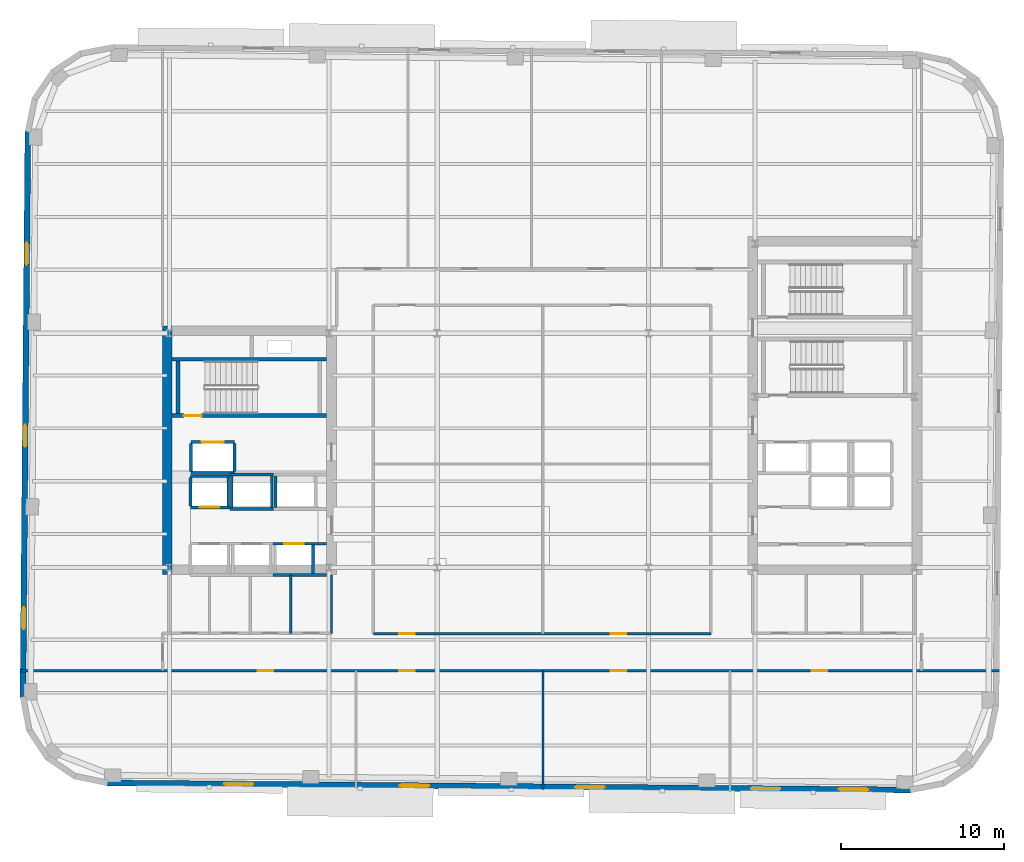
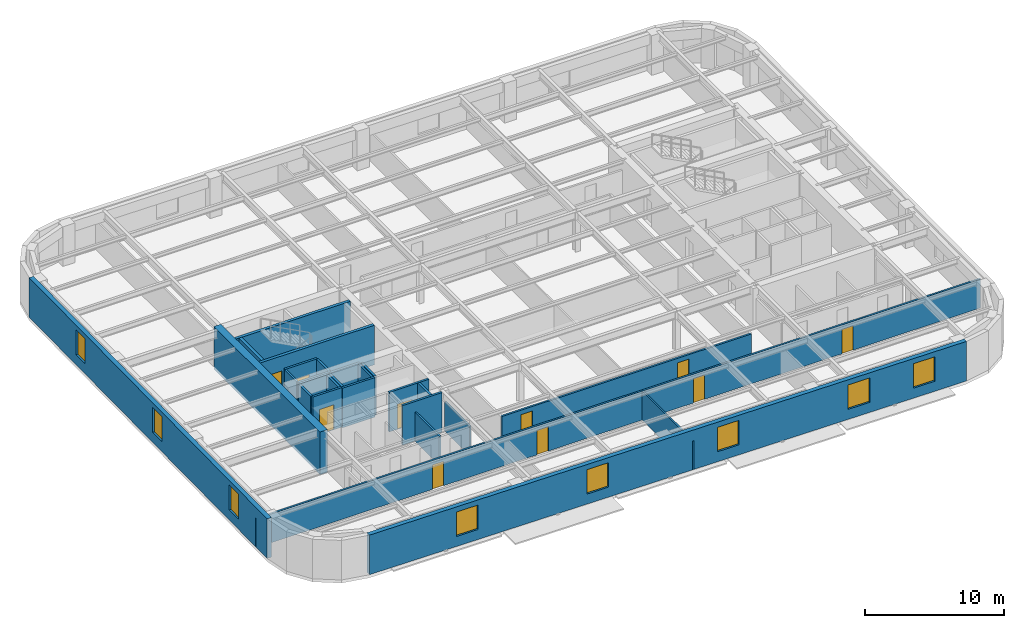
# One storey, part 4 of 11: 27 walls, 10 doors, 8 windows, 18 openings.
"""IFC4 building model written with IfcOpenShell, lengths in metres."""

from ifc_helpers import new_model, si_unit, direction, frame, frame_2d, origin, place, context, subcontext, project, spatial, rectangle, extrude, material, layer, layer_set, type_object, element, fill, save


model = new_model("IFC4")

# Units and contexts
model_context = context("Model", 3, precision=1e-05, world=origin(), true_north=direction((0.0, 1.0)))
body_context = subcontext(model_context, "Body", "Model", "MODEL_VIEW")
ifc_project = project(units=[si_unit("LENGTHUNIT", "METRE"), si_unit("AREAUNIT", "SQUARE_METRE"), si_unit("VOLUMEUNIT", "CUBIC_METRE"), si_unit("PLANEANGLEUNIT", "RADIAN"), si_unit("MASSUNIT", "GRAM", prefix="KILO")], contexts=[model_context])

# Site, building, storey
site_placement = place(None, origin())
site = spatial("IfcSite", under=ifc_project, at=site_placement, CompositionType="ELEMENT")
building_placement = place(site_placement, origin())
building = spatial("IfcBuilding", under=site, at=building_placement, Name="Kolvaren Arena Tower", CompositionType="ELEMENT")
storey_placement = place(building_placement, frame((0.0, 0.0, 203.449951171875)))
storey = spatial("IfcBuildingStorey", under=building, at=storey_placement, Name="L49", CompositionType="ELEMENT", Elevation=203.449951171875)

# Wall, openings, doors
ifc_material_1 = material(Name="Gypsum board acoustic assembly", Category="gypsum")
ifc_layer_1 = layer(ifc_material_1, 0.159912109375)
ifc_layer_set_1 = layer_set([ifc_layer_1], Name="Gypsum board acoustic assembly")
wall_type_1 = type_object("IfcWallType", Name="CORR-160", PredefinedType="PARTITIONING", material=ifc_layer_set_1)
wall_1_placement = place(storey_placement, frame((5.363525390625, 13.10009765625, 0.0), z_axis=(0.0, 0.0, 1.0), x_axis=(1.0, 0.0, 0.0)))
wall_1 = element("IfcWall", 1, at=wall_1_placement, inside=storey, type_object=wall_type_1, Name="Interior Partition Wall (L49)", PredefinedType="PARTITIONING", context=body_context, shape_type="SweptSolid", body=[
    extrude(rectangle(XDim=60.202392578125, YDim=0.159912109375, at=frame_2d((30.10107421875, 0.0))), origin(), (0.0, 0.0, 1.0), 2.5400390625),
])
opening_1_placement = place(wall_1_placement, frame((14.611328125, 0.0, 0.0)))
opening_1 = element("IfcOpeningElement", 2, at=opening_1_placement, cuts=wall_1, Name="Opening D05", PredefinedType="OPENING", context=body_context, shape_type="SweptSolid", body=[
    extrude(rectangle(XDim=0.949951171875, YDim=2.14990234375, at=frame_2d((0.47509765625, 1.074951171875))), frame((0.0, 0.08984375, 0.0), z_axis=(0.0, -1.0, 0.0), x_axis=(1.0, 0.0, 0.0)), (0.0, 0.0, 1.0), 0.179931640625),
])
opening_2_placement = place(wall_1_placement, frame((23.311279296875, 0.0, 0.0)))
opening_2 = element("IfcOpeningElement", 3, at=opening_2_placement, cuts=wall_1, Name="Opening D05", PredefinedType="OPENING", context=body_context, shape_type="SweptSolid", body=[
    extrude(rectangle(XDim=0.949951171875, YDim=2.14990234375, at=frame_2d((0.47509765625, 1.074951171875))), frame((0.0, 0.08984375, 0.0), z_axis=(0.0, -1.0, 0.0), x_axis=(1.0, 0.0, 0.0)), (0.0, 0.0, 1.0), 0.179931640625),
])
opening_3_placement = place(wall_1_placement, frame((36.311279296875, 0.0, 0.0)))
opening_3 = element("IfcOpeningElement", 4, at=opening_3_placement, cuts=wall_1, Name="Opening D05", PredefinedType="OPENING", context=body_context, shape_type="SweptSolid", body=[
    extrude(rectangle(XDim=0.949951171875, YDim=2.14990234375, at=frame_2d((0.47509765625, 1.074951171875))), frame((0.0, 0.08984375, 0.0), z_axis=(0.0, -1.0, 0.0), x_axis=(1.0, 0.0, 0.0)), (0.0, 0.0, 1.0), 0.179931640625),
])
opening_4_placement = place(wall_1_placement, frame((48.661376953125, 0.0, 0.0)))
opening_4 = element("IfcOpeningElement", 5, at=opening_4_placement, cuts=wall_1, Name="Opening D05", PredefinedType="OPENING", context=body_context, shape_type="SweptSolid", body=[
    extrude(rectangle(XDim=0.949951171875, YDim=2.14990234375, at=frame_2d((0.47509765625, 1.074951171875))), frame((0.0, 0.08984375, 0.0), z_axis=(0.0, -1.0, 0.0), x_axis=(1.0, 0.0, 0.0)), (0.0, 0.0, 1.0), 0.179931640625),
])
ifc_material_2 = material(Name="Solid-core oak acoustic office door", Category="wood")
door_type_1 = type_object("IfcDoorType", Name="DOOR-OF-095", OperationType="NOTDEFINED", PredefinedType="DOOR", material=ifc_material_2)
door_1_placement = place(opening_1_placement, origin())
door_1 = element("IfcDoor", 6, at=door_1_placement, inside=storey, type_object=door_type_1, Name="Design Studio Door (L49)", OperationType="SINGLE_SWING_LEFT", OverallHeight=2.14990234375, OverallWidth=0.949951171875, PredefinedType="DOOR", context=body_context, shape_type="SweptSolid", body=[
    extrude(rectangle(XDim=0.949951171875, YDim=2.14990234375, at=frame_2d((0.47509765625, 1.074951171875))), frame((0.0, 0.02490234375, 0.0), z_axis=(0.0, -1.0, 0.0), x_axis=(1.0, 0.0, 0.0)), (0.0, 0.0, 1.0), 0.050048828125),
])
fill(opening_1, door_1)
door_2_placement = place(opening_2_placement, origin())
door_2 = element("IfcDoor", 7, at=door_2_placement, inside=storey, type_object=door_type_1, Name="Design Studio Door (L49)", OperationType="SINGLE_SWING_RIGHT", OverallHeight=2.14990234375, OverallWidth=0.949951171875, PredefinedType="DOOR", context=body_context, shape_type="SweptSolid", body=[
    extrude(rectangle(XDim=0.949951171875, YDim=2.14990234375, at=frame_2d((0.47509765625, 1.074951171875))), frame((0.0, 0.02490234375, 0.0), z_axis=(0.0, -1.0, 0.0), x_axis=(1.0, 0.0, 0.0)), (0.0, 0.0, 1.0), 0.050048828125),
])
fill(opening_2, door_2)
door_3_placement = place(opening_3_placement, origin())
door_3 = element("IfcDoor", 8, at=door_3_placement, inside=storey, type_object=door_type_1, Name="Meeting Room Door (L49)", OperationType="SINGLE_SWING_LEFT", OverallHeight=2.14990234375, OverallWidth=0.949951171875, PredefinedType="DOOR", context=body_context, shape_type="SweptSolid", body=[
    extrude(rectangle(XDim=0.949951171875, YDim=2.14990234375, at=frame_2d((0.47509765625, 1.074951171875))), frame((0.0, 0.02490234375, 0.0), z_axis=(0.0, -1.0, 0.0), x_axis=(1.0, 0.0, 0.0)), (0.0, 0.0, 1.0), 0.050048828125),
])
fill(opening_3, door_3)
door_4_placement = place(opening_4_placement, origin())
door_4 = element("IfcDoor", 9, at=door_4_placement, inside=storey, type_object=door_type_1, Name="Technical Engineering Office Door (L49)", OperationType="SINGLE_SWING_RIGHT", OverallHeight=2.14990234375, OverallWidth=0.949951171875, PredefinedType="DOOR", context=body_context, shape_type="SweptSolid", body=[
    extrude(rectangle(XDim=0.949951171875, YDim=2.14990234375, at=frame_2d((0.47509765625, 1.074951171875))), frame((0.0, 0.02490234375, 0.0), z_axis=(0.0, -1.0, 0.0), x_axis=(1.0, 0.0, 0.0)), (0.0, 0.0, 1.0), 0.050048828125),
])
fill(opening_4, door_4)

wall_2_placement = place(storey_placement, frame((27.080078125, 15.3798828125, 0.0), z_axis=(0.0, 0.0, 1.0), x_axis=(1.0, 0.0, 0.0)))
wall_2 = element("IfcWall", 10, at=wall_2_placement, inside=storey, type_object=wall_type_1, Name="Interior Partition Wall (L49)", PredefinedType="PARTITIONING", context=body_context, shape_type="SweptSolid", body=[
    extrude(rectangle(XDim=20.739990234375, YDim=0.159912109375, at=frame_2d((10.3701171875, 0.0))), origin(), (0.0, 0.0, 1.0), 2.5400390625),
])
opening_5_placement = place(wall_2_placement, frame((1.594970703125, 0.0, 0.0)))
opening_5 = element("IfcOpeningElement", 11, at=opening_5_placement, cuts=wall_2, Name="Opening D05", PredefinedType="OPENING", context=body_context, shape_type="SweptSolid", body=[
    extrude(rectangle(XDim=0.949951171875, YDim=2.14990234375, at=frame_2d((0.47509765625, 1.074951171875))), frame((0.0, 0.08984375, 0.0), z_axis=(0.0, -1.0, 0.0), x_axis=(1.0, 0.0, 0.0)), (0.0, 0.0, 1.0), 0.179931640625),
])
opening_6_placement = place(wall_2_placement, frame((14.594970703125, 0.0, 0.0)))
opening_6 = element("IfcOpeningElement", 12, at=opening_6_placement, cuts=wall_2, Name="Opening D05", PredefinedType="OPENING", context=body_context, shape_type="SweptSolid", body=[
    extrude(rectangle(XDim=0.949951171875, YDim=2.14990234375, at=frame_2d((0.47509765625, 1.074951171875))), frame((0.0, 0.08984375, 0.0), z_axis=(0.0, -1.0, 0.0), x_axis=(1.0, 0.0, 0.0)), (0.0, 0.0, 1.0), 0.179931640625),
])
door_5_placement = place(opening_5_placement, origin())
door_5 = element("IfcDoor", 13, at=door_5_placement, inside=storey, type_object=door_type_1, Name="Technical Engineering Office Door (L49)", OperationType="SINGLE_SWING_RIGHT", OverallHeight=2.14990234375, OverallWidth=0.949951171875, PredefinedType="DOOR", context=body_context, shape_type="SweptSolid", body=[
    extrude(rectangle(XDim=0.949951171875, YDim=2.14990234375, at=frame_2d((0.47509765625, 1.074951171875))), frame((0.0, 0.02490234375, 0.0), z_axis=(0.0, -1.0, 0.0), x_axis=(1.0, 0.0, 0.0)), (0.0, 0.0, 1.0), 0.050048828125),
])
fill(opening_5, door_5)
door_6_placement = place(opening_6_placement, origin())
door_6 = element("IfcDoor", 14, at=door_6_placement, inside=storey, type_object=door_type_1, Name="Breakout Pantry and Kitchen Door (L49)", OperationType="SINGLE_SWING_RIGHT", OverallHeight=2.14990234375, OverallWidth=0.949951171875, PredefinedType="DOOR", context=body_context, shape_type="SweptSolid", body=[
    extrude(rectangle(XDim=0.949951171875, YDim=2.14990234375, at=frame_2d((0.47509765625, 1.074951171875))), frame((0.0, 0.02490234375, 0.0), z_axis=(0.0, -1.0, 0.0), x_axis=(1.0, 0.0, 0.0)), (0.0, 0.0, 1.0), 0.050048828125),
])
fill(opening_6, door_6)

# Wall
ifc_material_3 = material(Name="Concrete 60 MPa", Category="concrete")
ifc_layer_2 = layer(ifc_material_3, 0.60009765625)
ifc_layer_set_2 = layer_set([ifc_layer_2], Name="Concrete 60 MPa")
wall_type_2 = type_object("IfcWallType", Name="CWALL-600", PredefinedType="SHEAR", material=ifc_layer_set_2)
wall_3_placement = place(storey_placement, frame((14.39990234375, 19.0, -0.27001953125), z_axis=(0.0, 0.0, 1.0), x_axis=(0.0, 1.0, 0.0)))
element("IfcWall", 15, at=wall_3_placement, inside=storey, type_object=wall_type_2, Name="Core Shear Wall WC-WEST (L49)", PredefinedType="SHEAR", context=body_context, shape_type="SweptSolid", body=[
    extrude(rectangle(XDim=15.300048828125, YDim=0.60009765625, at=frame_2d((7.64990234375, 0.0))), origin(), (0.0, 0.0, 1.0), 3.75),
])

# Wall, openings, windows
ifc_material_4 = material(Name="Precast concrete C50/60", Category="concrete")
ifc_layer_3 = layer(ifc_material_4, 0.360107421875)
ifc_layer_set_3 = layer_set([ifc_layer_3], Name="Precast concrete C50/60")
wall_type_3 = type_object("IfcWallType", Name="EXT-PIER2", PredefinedType="SOLIDWALL", material=ifc_layer_set_3)
wall_4_placement = place(storey_placement, frame((5.529296875, 11.461669921875, 0.0), z_axis=(0.0, 0.0, 1.0), x_axis=(0.008727287311, 0.999961916503, 0.0)))
wall_4 = element("IfcWall", 16, at=wall_4_placement, inside=storey, type_object=wall_type_3, Name="Exterior Precast Masonry-Frame Wall (L49)", PredefinedType="SOLIDWALL", context=body_context, shape_type="SweptSolid", body=[
    extrude(rectangle(XDim=34.800048828125, YDim=0.360107421875, at=frame_2d((17.39990234375, 0.0))), origin(), (0.0, 0.0, 1.0), 3.47998046875),
])
opening_7_placement = place(wall_4_placement, frame((4.199951171875, 0.0, 0.8798828125)))
opening_7 = element("IfcOpeningElement", 17, at=opening_7_placement, cuts=wall_4, Name="Opening W04", PredefinedType="OPENING", context=body_context, shape_type="SweptSolid", body=[
    extrude(rectangle(XDim=1.35009765625, YDim=2.199951171875, at=frame_2d((0.675048828125, 1.10009765625))), frame((0.0, 0.18994140625, 0.0), z_axis=(0.0, -1.0, 0.0), x_axis=(1.0, 0.0, 0.0)), (0.0, 0.0, 1.0), 0.380126953125),
])
opening_8_placement = place(wall_4_placement, frame((15.39990234375, 0.0, 0.8798828125)))
opening_8 = element("IfcOpeningElement", 18, at=opening_8_placement, cuts=wall_4, Name="Opening W04", PredefinedType="OPENING", context=body_context, shape_type="SweptSolid", body=[
    extrude(rectangle(XDim=1.35009765625, YDim=2.199951171875, at=frame_2d((0.675048828125, 1.10009765625))), frame((0.0, 0.18994140625, 0.0), z_axis=(0.0, -1.0, 0.0), x_axis=(1.0, 0.0, 0.0)), (0.0, 0.0, 1.0), 0.380126953125),
])
opening_9_placement = place(wall_4_placement, frame((26.60009765625, 0.0, 0.8798828125)))
opening_9 = element("IfcOpeningElement", 19, at=opening_9_placement, cuts=wall_4, Name="Opening W04", PredefinedType="OPENING", context=body_context, shape_type="SweptSolid", body=[
    extrude(rectangle(XDim=1.35009765625, YDim=2.199951171875, at=frame_2d((0.675048828125, 1.10009765625))), frame((0.0, 0.18994140625, 0.0), z_axis=(0.0, -1.0, 0.0), x_axis=(1.0, 0.0, 0.0)), (0.0, 0.0, 1.0), 0.380126953125),
])
ifc_material_5 = material(Name="Triple-glazed curved-facet corner window", Category="glass")
window_type_1 = type_object("IfcWindowType", Name="WIN-CRN-A", PartitioningType="SINGLE_PANEL", PredefinedType="WINDOW", material=ifc_material_5)
window_1_placement = place(opening_7_placement, origin())
window_1 = element("IfcWindow", 20, at=window_1_placement, inside=storey, type_object=window_type_1, Name="End-Wall Punched Window (L49)", OverallHeight=2.199951171875, OverallWidth=1.35009765625, PartitioningType="SINGLE_PANEL", PredefinedType="WINDOW", context=body_context, shape_type="SweptSolid", body=[
    extrude(rectangle(XDim=1.35009765625, YDim=2.199951171875, at=frame_2d((0.675048828125, 1.10009765625))), frame((0.0, 0.030029296875, 0.0), z_axis=(0.0, -1.0, 0.0), x_axis=(1.0, 0.0, 0.0)), (0.0, 0.0, 1.0), 0.06005859375),
])
fill(opening_7, window_1)
window_2_placement = place(opening_8_placement, origin())
window_2 = element("IfcWindow", 21, at=window_2_placement, inside=storey, type_object=window_type_1, Name="End-Wall Punched Window (L49)", OverallHeight=2.199951171875, OverallWidth=1.35009765625, PartitioningType="SINGLE_PANEL", PredefinedType="WINDOW", context=body_context, shape_type="SweptSolid", body=[
    extrude(rectangle(XDim=1.35009765625, YDim=2.199951171875, at=frame_2d((0.675048828125, 1.10009765625))), frame((0.0, 0.030029296875, 0.0), z_axis=(0.0, -1.0, 0.0), x_axis=(1.0, 0.0, 0.0)), (0.0, 0.0, 1.0), 0.06005859375),
])
fill(opening_8, window_2)
window_3_placement = place(opening_9_placement, origin())
window_3 = element("IfcWindow", 22, at=window_3_placement, inside=storey, type_object=window_type_1, Name="End-Wall Punched Window (L49)", OverallHeight=2.199951171875, OverallWidth=1.35009765625, PartitioningType="SINGLE_PANEL", PredefinedType="WINDOW", context=body_context, shape_type="SweptSolid", body=[
    extrude(rectangle(XDim=1.35009765625, YDim=2.199951171875, at=frame_2d((0.675048828125, 1.10009765625))), frame((0.0, 0.030029296875, 0.0), z_axis=(0.0, -1.0, 0.0), x_axis=(1.0, 0.0, 0.0)), (0.0, 0.0, 1.0), 0.06005859375),
])
fill(opening_9, window_3)

wall_5_placement = place(storey_placement, frame((60.101806640625, 5.765380859375, 0.0), z_axis=(0.0, 0.0, 1.0), x_axis=(-0.999961955436, 0.008722825272, 0.0)))
wall_5 = element("IfcWall", 23, at=wall_5_placement, inside=storey, type_object=wall_type_3, Name="Exterior Precast Masonry-Frame Wall (L49)", PredefinedType="SOLIDWALL", context=body_context, shape_type="SweptSolid", body=[
    extrude(rectangle(XDim=49.400146484375, YDim=0.360107421875, at=frame_2d((24.7001953125, 0.0))), origin(), (0.0, 0.0, 1.0), 3.47998046875),
])
opening_10_placement = place(wall_5_placement, frame((2.60009765625, 0.0, 0.8798828125)))
opening_10 = element("IfcOpeningElement", 24, at=opening_10_placement, cuts=wall_5, Name="Opening W02", PredefinedType="OPENING", context=body_context, shape_type="SweptSolid", body=[
    extrude(rectangle(XDim=1.800048828125, YDim=2.14990234375, at=frame_2d((0.89990234375, 1.074951171875))), frame((0.0, 0.18994140625, 0.0), z_axis=(0.0, -1.0, 0.0), x_axis=(1.0, 0.0, 0.0)), (0.0, 0.0, 1.0), 0.380126953125),
])
opening_11_placement = place(wall_5_placement, frame((8.0, 0.0, 0.8798828125)))
opening_11 = element("IfcOpeningElement", 25, at=opening_11_placement, cuts=wall_5, Name="Opening W02", PredefinedType="OPENING", context=body_context, shape_type="SweptSolid", body=[
    extrude(rectangle(XDim=1.800048828125, YDim=2.14990234375, at=frame_2d((0.89990234375, 1.074951171875))), frame((0.0, 0.18994140625, 0.0), z_axis=(0.0, -1.0, 0.0), x_axis=(1.0, 0.0, 0.0)), (0.0, 0.0, 1.0), 0.380126953125),
])
opening_12_placement = place(wall_5_placement, frame((18.800048828125, 0.0, 0.8798828125)))
opening_12 = element("IfcOpeningElement", 26, at=opening_12_placement, cuts=wall_5, Name="Opening W02", PredefinedType="OPENING", context=body_context, shape_type="SweptSolid", body=[
    extrude(rectangle(XDim=1.800048828125, YDim=2.14990234375, at=frame_2d((0.89990234375, 1.074951171875))), frame((0.0, 0.18994140625, 0.0), z_axis=(0.0, -1.0, 0.0), x_axis=(1.0, 0.0, 0.0)), (0.0, 0.0, 1.0), 0.380126953125),
])
opening_13_placement = place(wall_5_placement, frame((29.60009765625, 0.0, 0.8798828125)))
opening_13 = element("IfcOpeningElement", 27, at=opening_13_placement, cuts=wall_5, Name="Opening W02", PredefinedType="OPENING", context=body_context, shape_type="SweptSolid", body=[
    extrude(rectangle(XDim=1.800048828125, YDim=2.14990234375, at=frame_2d((0.89990234375, 1.074951171875))), frame((0.0, 0.18994140625, 0.0), z_axis=(0.0, -1.0, 0.0), x_axis=(1.0, 0.0, 0.0)), (0.0, 0.0, 1.0), 0.380126953125),
])
opening_14_placement = place(wall_5_placement, frame((40.39990234375, 0.0, 0.8798828125)))
opening_14 = element("IfcOpeningElement", 28, at=opening_14_placement, cuts=wall_5, Name="Opening W02", PredefinedType="OPENING", context=body_context, shape_type="SweptSolid", body=[
    extrude(rectangle(XDim=1.800048828125, YDim=2.14990234375, at=frame_2d((0.89990234375, 1.074951171875))), frame((0.0, 0.18994140625, 0.0), z_axis=(0.0, -1.0, 0.0), x_axis=(1.0, 0.0, 0.0)), (0.0, 0.0, 1.0), 0.380126953125),
])
ifc_material_6 = material(Name="Triple-glazed low-E aluminium window", Category="aluminium")
window_type_2 = type_object("IfcWindowType", Name="WIN-OFF-B", PartitioningType="DOUBLE_PANEL_VERTICAL", PredefinedType="WINDOW", material=ifc_material_6)
window_4_placement = place(opening_10_placement, origin())
window_4 = element("IfcWindow", 29, at=window_4_placement, inside=storey, type_object=window_type_2, Name="Punched Precast-Pier Window (L49)", OverallHeight=2.14990234375, OverallWidth=1.800048828125, PartitioningType="DOUBLE_PANEL_VERTICAL", PredefinedType="WINDOW", context=body_context, shape_type="SweptSolid", body=[
    extrude(rectangle(XDim=1.800048828125, YDim=2.14990234375, at=frame_2d((0.89990234375, 1.074951171875))), frame((0.0, 0.030029296875, 0.0), z_axis=(0.0, -1.0, 0.0), x_axis=(1.0, 0.0, 0.0)), (0.0, 0.0, 1.0), 0.06005859375),
])
fill(opening_10, window_4)
window_5_placement = place(opening_11_placement, origin())
window_5 = element("IfcWindow", 30, at=window_5_placement, inside=storey, type_object=window_type_2, Name="Punched Precast-Pier Window (L49)", OverallHeight=2.14990234375, OverallWidth=1.800048828125, PartitioningType="DOUBLE_PANEL_VERTICAL", PredefinedType="WINDOW", context=body_context, shape_type="SweptSolid", body=[
    extrude(rectangle(XDim=1.800048828125, YDim=2.14990234375, at=frame_2d((0.89990234375, 1.074951171875))), frame((0.0, 0.030029296875, 0.0), z_axis=(0.0, -1.0, 0.0), x_axis=(1.0, 0.0, 0.0)), (0.0, 0.0, 1.0), 0.06005859375),
])
fill(opening_11, window_5)
window_6_placement = place(opening_12_placement, origin())
window_6 = element("IfcWindow", 31, at=window_6_placement, inside=storey, type_object=window_type_2, Name="Punched Precast-Pier Window (L49)", OverallHeight=2.14990234375, OverallWidth=1.800048828125, PartitioningType="DOUBLE_PANEL_VERTICAL", PredefinedType="WINDOW", context=body_context, shape_type="SweptSolid", body=[
    extrude(rectangle(XDim=1.800048828125, YDim=2.14990234375, at=frame_2d((0.89990234375, 1.074951171875))), frame((0.0, 0.030029296875, 0.0), z_axis=(0.0, -1.0, 0.0), x_axis=(1.0, 0.0, 0.0)), (0.0, 0.0, 1.0), 0.06005859375),
])
fill(opening_12, window_6)
window_7_placement = place(opening_13_placement, origin())
window_7 = element("IfcWindow", 32, at=window_7_placement, inside=storey, type_object=window_type_2, Name="Punched Precast-Pier Window (L49)", OverallHeight=2.14990234375, OverallWidth=1.800048828125, PartitioningType="DOUBLE_PANEL_VERTICAL", PredefinedType="WINDOW", context=body_context, shape_type="SweptSolid", body=[
    extrude(rectangle(XDim=1.800048828125, YDim=2.14990234375, at=frame_2d((0.89990234375, 1.074951171875))), frame((0.0, 0.030029296875, 0.0), z_axis=(0.0, -1.0, 0.0), x_axis=(1.0, 0.0, 0.0)), (0.0, 0.0, 1.0), 0.06005859375),
])
fill(opening_13, window_7)
window_8_placement = place(opening_14_placement, origin())
window_8 = element("IfcWindow", 33, at=window_8_placement, inside=storey, type_object=window_type_2, Name="Punched Precast-Pier Window (L49)", OverallHeight=2.14990234375, OverallWidth=1.800048828125, PartitioningType="DOUBLE_PANEL_VERTICAL", PredefinedType="WINDOW", context=body_context, shape_type="SweptSolid", body=[
    extrude(rectangle(XDim=1.800048828125, YDim=2.14990234375, at=frame_2d((0.89990234375, 1.074951171875))), frame((0.0, 0.030029296875, 0.0), z_axis=(0.0, -1.0, 0.0), x_axis=(1.0, 0.0, 0.0)), (0.0, 0.0, 1.0), 0.06005859375),
])
fill(opening_14, window_8)

# Wall
ifc_material_7 = material(Name="Gypsum board partition assembly", Category="gypsum")
ifc_layer_4 = layer(ifc_material_7, 0.135009765625)
ifc_layer_set_4 = layer_set([ifc_layer_4], Name="Gypsum board partition assembly")
wall_type_4 = type_object("IfcWallType", Name="PART-135", PredefinedType="PARTITIONING", material=ifc_layer_set_4)
wall_6_placement = place(storey_placement, frame((37.5, 5.782470703125, 0.0), z_axis=(0.0, 0.0, 1.0), x_axis=(0.0, 1.0, 0.0)))
element("IfcWall", 34, at=wall_6_placement, inside=storey, type_object=wall_type_4, Name="Interior Partition Wall (L49)", PredefinedType="PARTITIONING", context=body_context, shape_type="SweptSolid", body=[
    extrude(rectangle(XDim=7.317626953125, YDim=0.135009765625, at=frame_2d((3.65869140625, 0.0))), origin(), (0.0, 0.0, 1.0), 2.5400390625),
])

# Wall, opening, door
ifc_material_8 = material(Name="Concrete 45 MPa", Category="concrete")
ifc_layer_5 = layer(ifc_material_8, 0.25)
ifc_layer_set_5 = layer_set([ifc_layer_5], Name="Concrete 45 MPa")
wall_type_5 = type_object("IfcWallType", Name="SHAFT-250", PredefinedType="SOLIDWALL", material=ifc_layer_set_5)
wall_7_placement = place(storey_placement, frame((24.199951171875, 28.780029296875, 0.0), z_axis=(0.0, 0.0, 1.0), x_axis=(-1.0, 0.0, 0.0)))
wall_7 = element("IfcWall", 35, at=wall_7_placement, inside=storey, type_object=wall_type_5, Name="Core Shaft Wall (L49)", PredefinedType="SOLIDWALL", context=body_context, shape_type="SweptSolid", body=[
    extrude(rectangle(XDim=9.5, YDim=0.239990234375, at=frame_2d((4.75, 0.0))), origin(), (0.0, 0.0, 1.0), 3.47998046875),
])
opening_15_placement = place(wall_7_placement, frame((7.679931640625, 0.0, 0.0)))
opening_15 = element("IfcOpeningElement", 36, at=opening_15_placement, cuts=wall_7, Name="Opening D03", PredefinedType="OPENING", context=body_context, shape_type="SweptSolid", body=[
    extrude(rectangle(XDim=1.10009765625, YDim=2.14990234375, at=frame_2d((0.550048828125, 1.074951171875))), frame((0.0, 0.1298828125, 0.0), z_axis=(0.0, -1.0, 0.0), x_axis=(1.0, 0.0, 0.0)), (0.0, 0.0, 1.0), 0.260009765625),
])
ifc_material_9 = material(Name="Fire-rated steel exit stair door", Category="steel")
door_type_2 = type_object("IfcDoorType", Name="DOOR-ST-110", OperationType="NOTDEFINED", PredefinedType="DOOR", material=ifc_material_9)
door_7_placement = place(opening_15_placement, origin())
door_7 = element("IfcDoor", 37, at=door_7_placement, inside=storey, type_object=door_type_2, Name="Stair ST-W1 Fire Door (L49)", OperationType="SINGLE_SWING_RIGHT", OverallHeight=2.14990234375, OverallWidth=1.10009765625, PredefinedType="DOOR", context=body_context, shape_type="SweptSolid", body=[
    extrude(rectangle(XDim=1.10009765625, YDim=2.14990234375, at=frame_2d((0.550048828125, 1.074951171875))), frame((0.0, 0.02490234375, 0.0), z_axis=(0.0, -1.0, 0.0), x_axis=(1.0, 0.0, 0.0)), (0.0, 0.0, 1.0), 0.050048828125),
])
fill(opening_15, door_7)

# Walls
wall_8_placement = place(storey_placement, frame((14.699951171875, 32.25, 0.0), z_axis=(0.0, 0.0, 1.0), x_axis=(1.0, 0.0, 0.0)))
element("IfcWall", 38, at=wall_8_placement, inside=storey, type_object=wall_type_5, Name="Core Shaft Wall (L49)", PredefinedType="SOLIDWALL", context=body_context, shape_type="SweptSolid", body=[
    extrude(rectangle(XDim=9.5, YDim=0.239990234375, at=frame_2d((4.75, 0.0))), origin(), (0.0, 0.0, 1.0), 3.47998046875),
])
wall_9_placement = place(storey_placement, frame((15.06005859375, 28.89990234375, 0.0), z_axis=(0.0, 0.0, 1.0), x_axis=(0.0, 1.0, 0.0)))
element("IfcWall", 39, at=wall_9_placement, inside=storey, type_object=wall_type_5, Name="Core Shaft Wall (L49)", PredefinedType="SOLIDWALL", context=body_context, shape_type="SweptSolid", body=[
    extrude(rectangle(XDim=3.22998046875, YDim=0.239990234375, at=frame_2d((1.614990234375, 0.0))), origin(), (0.0, 0.0, 1.0), 3.47998046875),
])

# Wall, opening, door
wall_10_placement = place(storey_placement, frame((20.89990234375, 20.905029296875, 0.0), z_axis=(0.0, 0.0, 1.0), x_axis=(1.0, 0.0, 0.0)))
wall_10 = element("IfcWall", 40, at=wall_10_placement, inside=storey, type_object=wall_type_5, Name="Core Shaft Wall (L49)", PredefinedType="SOLIDWALL", context=body_context, shape_type="SweptSolid", body=[
    extrude(rectangle(XDim=3.300048828125, YDim=0.179931640625, at=frame_2d((1.64990234375, 0.0))), origin(), (0.0, 0.0, 1.0), 3.47998046875),
])
opening_16_placement = place(wall_10_placement, frame((0.699951171875, 0.0, 0.0)))
opening_16 = element("IfcOpeningElement", 41, at=opening_16_placement, cuts=wall_10, Name="Opening LD1", PredefinedType="OPENING", context=body_context, shape_type="SweptSolid", body=[
    extrude(rectangle(XDim=1.199951171875, YDim=2.199951171875, at=frame_2d((0.60009765625, 1.10009765625))), frame((0.0, 0.099853515625, 0.0), z_axis=(0.0, -1.0, 0.0), x_axis=(1.0, 0.0, 0.0)), (0.0, 0.0, 1.0), 0.199951171875),
])
ifc_material_10 = material(Name="Stainless steel passenger lift landing door", Category="steel")
door_type_3 = type_object("IfcDoorType", Name="DOOR-LD-120", OperationType="DOUBLE_DOOR_SLIDING", PredefinedType="DOOR", material=ifc_material_10)
door_8_placement = place(opening_16_placement, origin())
door_8 = element("IfcDoor", 42, at=door_8_placement, inside=storey, type_object=door_type_3, Name="Lift EL-MR3 Landing Door (L49)", OperationType="DOUBLE_DOOR_SLIDING", OverallHeight=2.199951171875, OverallWidth=1.199951171875, PredefinedType="DOOR", context=body_context, shape_type="SweptSolid", body=[
    extrude(rectangle(XDim=1.199951171875, YDim=2.199951171875, at=frame_2d((0.60009765625, 1.10009765625))), frame((0.0, 0.02490234375, 0.0), z_axis=(0.0, -1.0, 0.0), x_axis=(1.0, 0.0, 0.0)), (0.0, 0.0, 1.0), 0.050048828125),
])
fill(opening_16, door_8)

# Walls
wall_11_placement = place(storey_placement, frame((20.89990234375, 18.9951171875, 0.0), z_axis=(0.0, 0.0, 1.0), x_axis=(1.0, 0.0, 0.0)))
element("IfcWall", 43, at=wall_11_placement, inside=storey, type_object=wall_type_5, Name="Core Shaft Wall (L49)", PredefinedType="SOLIDWALL", context=body_context, shape_type="SweptSolid", body=[
    extrude(rectangle(XDim=3.300048828125, YDim=0.179931640625, at=frame_2d((1.64990234375, 0.0))), origin(), (0.0, 0.0, 1.0), 3.47998046875),
])
wall_12_placement = place(storey_placement, frame((23.35498046875, 19.0849609375, 0.0), z_axis=(0.0, 0.0, 1.0), x_axis=(0.0, 1.0, 0.0)))
element("IfcWall", 44, at=wall_12_placement, inside=storey, type_object=wall_type_5, Name="Core Shaft Wall (L49)", PredefinedType="SOLIDWALL", context=body_context, shape_type="SweptSolid", body=[
    extrude(rectangle(XDim=1.72998046875, YDim=0.179931640625, at=frame_2d((0.864990234375, 0.0))), origin(), (0.0, 0.0, 1.0), 3.47998046875),
])
wall_13_placement = place(storey_placement, frame((15.844970703125, 25.054931640625, 0.0), z_axis=(0.0, 0.0, 1.0), x_axis=(1.0, 0.0, 0.0)))
element("IfcWall", 45, at=wall_13_placement, inside=storey, type_object=wall_type_5, Name="Core Shaft Wall (L49)", PredefinedType="SOLIDWALL", context=body_context, shape_type="SweptSolid", body=[
    extrude(rectangle(XDim=2.41748046875, YDim=0.179931640625, at=frame_2d((1.208740234375, 0.0))), origin(), (0.0, 0.0, 1.0), 3.47998046875),
])

# Wall, opening, door
wall_14_placement = place(storey_placement, frame((15.844970703125, 23.14501953125, 0.0), z_axis=(0.0, 0.0, 1.0), x_axis=(1.0, 0.0, 0.0)))
wall_14 = element("IfcWall", 46, at=wall_14_placement, inside=storey, type_object=wall_type_5, Name="Core Shaft Wall (L49)", PredefinedType="SOLIDWALL", context=body_context, shape_type="SweptSolid", body=[
    extrude(rectangle(XDim=2.41748046875, YDim=0.179931640625, at=frame_2d((1.208740234375, 0.0))), origin(), (0.0, 0.0, 1.0), 3.47998046875),
])
opening_17_placement = place(wall_14_placement, frame((0.554931640625, 0.0, 0.0)))
opening_17 = element("IfcOpeningElement", 47, at=opening_17_placement, cuts=wall_14, Name="Opening LD1", PredefinedType="OPENING", context=body_context, shape_type="SweptSolid", body=[
    extrude(rectangle(XDim=1.199951171875, YDim=2.199951171875, at=frame_2d((0.60009765625, 1.10009765625))), frame((0.0, 0.099853515625, 0.0), z_axis=(0.0, -1.0, 0.0), x_axis=(1.0, 0.0, 0.0)), (0.0, 0.0, 1.0), 0.199951171875),
])
door_9_placement = place(opening_17_placement, origin())
door_9 = element("IfcDoor", 48, at=door_9_placement, inside=storey, type_object=door_type_3, Name="Lift EL-MR4 Landing Door (L49)", OperationType="DOUBLE_DOOR_SLIDING", OverallHeight=2.199951171875, OverallWidth=1.199951171875, PredefinedType="DOOR", context=body_context, shape_type="SweptSolid", body=[
    extrude(rectangle(XDim=1.199951171875, YDim=2.199951171875, at=frame_2d((0.60009765625, 1.10009765625))), frame((0.0, 0.02490234375, 0.0), z_axis=(0.0, -1.0, 0.0), x_axis=(1.0, 0.0, 0.0)), (0.0, 0.0, 1.0), 0.050048828125),
])
fill(opening_17, door_9)

# Walls
for number, where, z_axis, x_axis, name in (
    (49, (15.844970703125, 23.235107421875, 0.0), (0.0, 0.0, 1.0), (0.0, 1.0, 0.0), "Core Shaft Wall (L49)"),
    (50, (18.155029296875, 23.235107421875, 0.0), (0.0, 0.0, 1.0), (0.0, 1.0, 0.0), "Core Shaft Wall (L49)"),
):
    element("IfcWall", number, at=place(storey_placement, frame(where, z_axis=z_axis, x_axis=x_axis)), inside=storey, type_object=wall_type_5, Name=name, PredefinedType="SOLIDWALL", context=body_context, shape_type="SweptSolid", body=[
        extrude(rectangle(XDim=1.72998046875, YDim=0.179931640625, at=frame_2d((0.864990234375, 0.0))), origin(), (0.0, 0.0, 1.0), 3.47998046875),
    ])
for number, where, z_axis, x_axis, name in (
    (51, (18.262451171875, 25.155029296875, 0.0), (0.0, 0.0, 1.0), (1.0, 0.0, 0.0), "Core Shaft Wall (L49)"),
    (52, (18.262451171875, 23.044921875, 0.0), (0.0, 0.0, 1.0), (1.0, 0.0, 0.0), "Core Shaft Wall (L49)"),
):
    element("IfcWall", number, at=place(storey_placement, frame(where, z_axis=z_axis, x_axis=x_axis)), inside=storey, type_object=wall_type_5, Name=name, PredefinedType="SOLIDWALL", context=body_context, shape_type="SweptSolid", body=[
        extrude(rectangle(XDim=2.6875, YDim=0.179931640625, at=frame_2d((1.34375, 0.0))), origin(), (0.0, 0.0, 1.0), 3.47998046875),
    ])
for number, where, z_axis, x_axis, name in (
    (53, (18.3701171875, 23.135009765625, 0.0), (0.0, 0.0, 1.0), (0.0, 1.0, 0.0), "Core Shaft Wall (L49)"),
    (54, (20.830078125, 23.135009765625, 0.0), (0.0, 0.0, 1.0), (0.0, 1.0, 0.0), "Core Shaft Wall (L49)"),
    (55, (21.070068359375, 23.135009765625, 0.0), (0.0, 0.0, 1.0), (0.0, 1.0, 0.0), "Core Shaft Wall (L49)"),
):
    element("IfcWall", number, at=place(storey_placement, frame(where, z_axis=z_axis, x_axis=x_axis)), inside=storey, type_object=wall_type_5, Name=name, PredefinedType="SOLIDWALL", context=body_context, shape_type="SweptSolid", body=[
        extrude(rectangle(XDim=1.929931640625, YDim=0.179931640625, at=frame_2d((0.96484375, 0.0))), origin(), (0.0, 0.0, 1.0), 3.47998046875),
    ])

# Wall, opening, door
wall_15_placement = place(storey_placement, frame((15.8701171875, 27.155029296875, 0.0), z_axis=(0.0, 0.0, 1.0), x_axis=(1.0, 0.0, 0.0)))
wall_15 = element("IfcWall", 56, at=wall_15_placement, inside=storey, type_object=wall_type_5, Name="Core Shaft Wall (L49)", PredefinedType="SOLIDWALL", context=body_context, shape_type="SweptSolid", body=[
    extrude(rectangle(XDim=2.659912109375, YDim=0.179931640625, at=frame_2d((1.330078125, 0.0))), origin(), (0.0, 0.0, 1.0), 3.47998046875),
])
opening_18_placement = place(wall_15_placement, frame((0.655029296875, 0.0, 0.0)))
opening_18 = element("IfcOpeningElement", 57, at=opening_18_placement, cuts=wall_15, Name="Opening LD2", PredefinedType="OPENING", context=body_context, shape_type="SweptSolid", body=[
    extrude(rectangle(XDim=1.35009765625, YDim=2.300048828125, at=frame_2d((0.675048828125, 1.14990234375))), frame((0.0, 0.099853515625, 0.0), z_axis=(0.0, -1.0, 0.0), x_axis=(1.0, 0.0, 0.0)), (0.0, 0.0, 1.0), 0.199951171875),
])
ifc_material_11 = material(Name="Stainless steel firefighter lift landing door", Category="steel")
door_type_4 = type_object("IfcDoorType", Name="DOOR-LD-135", OperationType="DOUBLE_DOOR_SLIDING", PredefinedType="DOOR", material=ifc_material_11)
door_10_placement = place(opening_18_placement, origin())
door_10 = element("IfcDoor", 58, at=door_10_placement, inside=storey, type_object=door_type_4, Name="Firefighter Lift FF-W1 Landing Door (L49)", OperationType="DOUBLE_DOOR_SLIDING", OverallHeight=2.300048828125, OverallWidth=1.35009765625, PredefinedType="DOOR", context=body_context, shape_type="SweptSolid", body=[
    extrude(rectangle(XDim=1.35009765625, YDim=2.300048828125, at=frame_2d((0.675048828125, 1.14990234375))), frame((0.0, 0.02490234375, 0.0), z_axis=(0.0, -1.0, 0.0), x_axis=(1.0, 0.0, 0.0)), (0.0, 0.0, 1.0), 0.050048828125),
])
fill(opening_18, door_10)

# Walls
wall_16_placement = place(storey_placement, frame((15.8701171875, 25.2451171875, 0.0), z_axis=(0.0, 0.0, 1.0), x_axis=(1.0, 0.0, 0.0)))
element("IfcWall", 59, at=wall_16_placement, inside=storey, type_object=wall_type_5, Name="Core Shaft Wall (L49)", PredefinedType="SOLIDWALL", context=body_context, shape_type="SweptSolid", body=[
    extrude(rectangle(XDim=2.659912109375, YDim=0.179931640625, at=frame_2d((1.330078125, 0.0))), origin(), (0.0, 0.0, 1.0), 3.47998046875),
])
for number, where, z_axis, x_axis, name in (
    (60, (15.8701171875, 25.3349609375, 0.0), (0.0, 0.0, 1.0), (0.0, 1.0, 0.0), "Core Shaft Wall (L49)"),
    (61, (18.530029296875, 25.3349609375, 0.0), (0.0, 0.0, 1.0), (0.0, 1.0, 0.0), "Core Shaft Wall (L49)"),
):
    element("IfcWall", number, at=place(storey_placement, frame(where, z_axis=z_axis, x_axis=x_axis)), inside=storey, type_object=wall_type_5, Name=name, PredefinedType="SOLIDWALL", context=body_context, shape_type="SweptSolid", body=[
        extrude(rectangle(XDim=1.72998046875, YDim=0.179931640625, at=frame_2d((0.864990234375, 0.0))), origin(), (0.0, 0.0, 1.0), 3.47998046875),
    ])
ifc_material_12 = material(Name="Moisture-resistant gypsum assembly", Category="gypsum")
ifc_layer_6 = layer(ifc_material_12, 0.14990234375)
ifc_layer_set_6 = layer_set([ifc_layer_6], Name="Moisture-resistant gypsum assembly")
wall_type_6 = type_object("IfcWallType", Name="WETW-150", PredefinedType="PARTITIONING", material=ifc_layer_set_6)
for number, where, z_axis, x_axis, name in (
    (62, (22.0, 15.39990234375, 0.0), (0.0, 0.0, 1.0), (0.0, 1.0, 0.0), "Interior Partition Wall (L49)"),
    (63, (24.5, 15.39990234375, 0.0), (0.0, 0.0, 1.0), (0.0, 1.0, 0.0), "Interior Partition Wall (L49)"),
):
    element("IfcWall", number, at=place(storey_placement, frame(where, z_axis=z_axis, x_axis=x_axis)), inside=storey, type_object=wall_type_6, Name=name, PredefinedType="PARTITIONING", context=body_context, shape_type="SweptSolid", body=[
        extrude(rectangle(XDim=3.580078125, YDim=0.14990234375, at=frame_2d((1.7900390625, 0.0))), origin(), (0.0, 0.0, 1.0), 2.5400390625),
    ])

save(model, "model.ifc")
